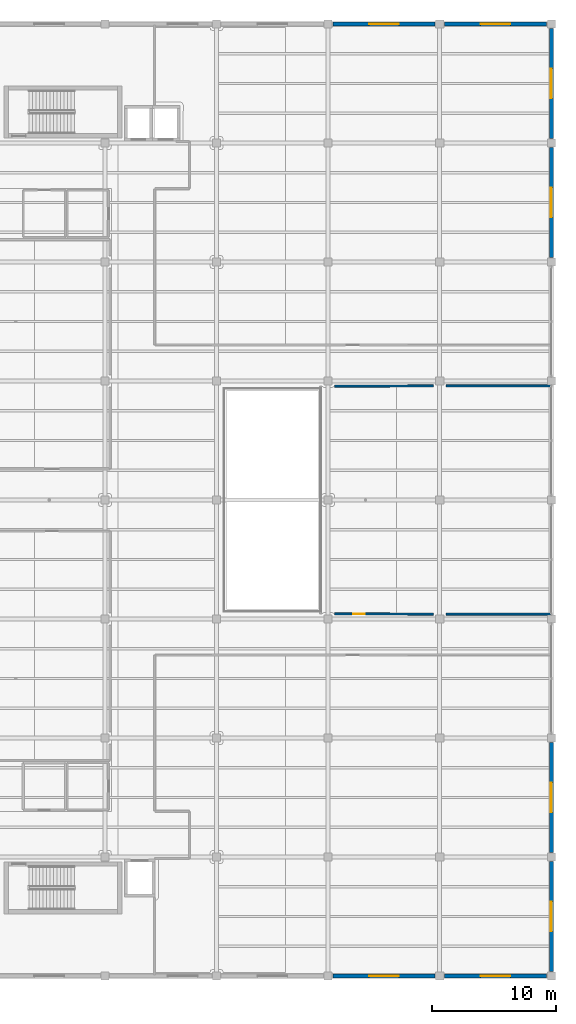
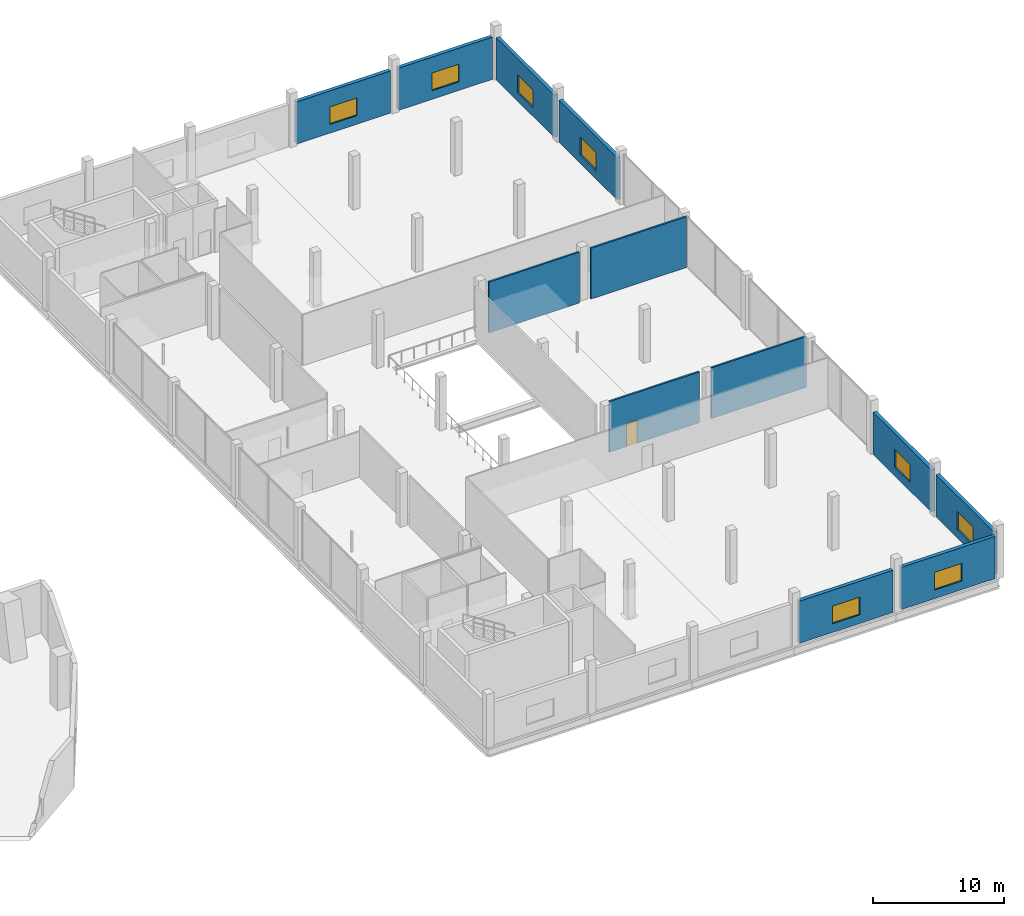
# One storey, part 34 of 46: 12 walls, 8 windows, 1 door, 9 openings.
"""IFC4 building model written with IfcOpenShell, lengths in metres."""

from ifc_helpers import new_model, si_unit, direction, frame, frame_2d, origin, place, context, subcontext, project, spatial, rectangle, extrude, material, layer, layer_set, type_object, element, fill, save


model = new_model("IFC4")

# Units and contexts
model_context = context("Model", 3, precision=1e-05, world=origin(), true_north=direction((0.0, 1.0)))
body_context = subcontext(model_context, "Body", "Model", "MODEL_VIEW")
ifc_project = project(units=[si_unit("LENGTHUNIT", "METRE"), si_unit("AREAUNIT", "SQUARE_METRE"), si_unit("VOLUMEUNIT", "CUBIC_METRE"), si_unit("PLANEANGLEUNIT", "RADIAN"), si_unit("MASSUNIT", "GRAM", prefix="KILO")], contexts=[model_context])

# Site, building, storey
site_placement = place(None, origin())
site = spatial("IfcSite", under=ifc_project, at=site_placement, CompositionType="ELEMENT")
building_placement = place(site_placement, origin())
building = spatial("IfcBuilding", under=site, at=building_placement, Name="Qorvath Tower", CompositionType="ELEMENT")
storey_placement = place(building_placement, frame((0.0, 0.0, 17.0)))
storey = spatial("IfcBuildingStorey", under=building, at=storey_placement, Name="L03", CompositionType="ELEMENT", Elevation=17.0)

# Wall, opening, door
ifc_material_1 = material(Name="Double acoustic gypsum board on steel studs", Category="steel")
ifc_layer_1 = layer(ifc_material_1, 0.159912109375)
ifc_layer_set_1 = layer_set([ifc_layer_1], Name="IW-ACOUSTIC-160")
wall_type_1 = type_object("IfcWallType", Name="IW-ACOUSTIC-160", PredefinedType="PARTITIONING", material=ifc_layer_set_1)
wall_1_placement = place(storey_placement, frame((59.91552734375, -9.19189453125, 0.0), z_axis=(0.0, 0.0, 1.0), x_axis=(0.999999488503, -0.001011431732, 0.0)))
wall_1 = element("IfcWall", 1, at=wall_1_placement, inside=storey, type_object=wall_type_1, Name="Interior Partition IW-LB-L03-029", PredefinedType="PARTITIONING", context=body_context, shape_type="SweptSolid", body=[
    extrude(rectangle(XDim=7.965576171875, YDim=0.159912109375, at=frame_2d((3.98291015625, 0.0))), origin(), (0.0, 0.0, 1.0), 4.739990234375),
])
opening_1_placement = place(wall_1_placement, frame((1.50341796875, 0.0, 0.0)))
opening_1 = element("IfcOpeningElement", 2, at=opening_1_placement, cuts=wall_1, Name="Opening D-LB-L03-07", PredefinedType="OPENING", context=body_context, shape_type="SweptSolid", body=[
    extrude(rectangle(XDim=0.949951171875, YDim=2.14990234375, at=frame_2d((0.47509765625, 1.074951171875))), frame((0.0, 0.08984375, 0.0), z_axis=(0.0, -1.0, 0.0), x_axis=(1.0, 0.0, 0.0)), (0.0, 0.0, 1.0), 0.179931640625),
])
ifc_material_2 = material(Name="Solid-core American white oak veneer", Category="wood")
door_type = type_object("IfcDoorType", Name="D-01", OperationType="NOTDEFINED", PredefinedType="DOOR", material=ifc_material_2)
door_placement = place(opening_1_placement, origin())
door = element("IfcDoor", 3, at=door_placement, inside=storey, type_object=door_type, Name="L-L03-RDG-E East Daylight Reading Room L03 Door D-LB-L03-07", OperationType="SINGLE_SWING_RIGHT", OverallHeight=2.14990234375, OverallWidth=0.949951171875, PredefinedType="DOOR", context=body_context, shape_type="SweptSolid", body=[
    extrude(rectangle(XDim=0.949951171875, YDim=2.14990234375, at=frame_2d((0.47509765625, 1.074951171875))), frame((0.0, 0.02490234375, 0.0), z_axis=(0.0, -1.0, 0.0), x_axis=(1.0, 0.0, 0.0)), (0.0, 0.0, 1.0), 0.050048828125),
])
fill(opening_1, door)

# Walls
for number, where, z_axis, x_axis, name in (
    (4, (68.9189453125, -9.199951171875, 0.0), (0.0, 0.0, 1.0), (1.0, 0.0, 0.0), "Interior Partition IW-LB-L03-030"),
    (5, (77.320068359375, 9.199951171875, 0.0), (0.0, 0.0, 1.0), (-1.0, 0.0, 0.0), "Interior Partition IW-LB-L03-031"),
):
    element("IfcWall", number, at=place(storey_placement, frame(where, z_axis=z_axis, x_axis=x_axis)), inside=storey, type_object=wall_type_1, Name=name, PredefinedType="PARTITIONING", context=body_context, shape_type="SweptSolid", body=[
        extrude(rectangle(XDim=8.401123046875, YDim=0.159912109375, at=frame_2d((4.20068359375, 0.0))), origin(), (0.0, 0.0, 1.0), 4.739990234375),
    ])
wall_2_placement = place(storey_placement, frame((67.881103515625, 9.199951171875, 0.0), z_axis=(0.0, 0.0, 1.0), x_axis=(-0.999999488503, -0.001011431732, 0.0)))
element("IfcWall", 6, at=wall_2_placement, inside=storey, type_object=wall_type_1, Name="Interior Partition IW-LB-L03-032", PredefinedType="PARTITIONING", context=body_context, shape_type="SweptSolid", body=[
    extrude(rectangle(XDim=7.965576171875, YDim=0.159912109375, at=frame_2d((3.98291015625, 0.0))), origin(), (0.0, 0.0, 1.0), 4.739990234375),
])

# Wall, opening, window
ifc_material_3 = material(Name="Precast concrete C45/55", Category="concrete")
ifc_layer_2 = layer(ifc_material_3, 0.320068359375)
ifc_layer_set_2 = layer_set([ifc_layer_2], Name="WL-EW-LIB-320")
wall_type_2 = type_object("IfcWallType", Name="WL-EW-LIB-320", PredefinedType="SOLIDWALL", material=ifc_layer_set_2)
wall_3_placement = place(storey_placement, frame((77.39990234375, -29.169921875, 0.0), z_axis=(0.0, 0.0, 1.0), x_axis=(0.0, -1.0, 0.0)))
wall_3 = element("IfcWall", 7, at=wall_3_placement, inside=storey, type_object=wall_type_2, Name="Library E Precast Wall L03-1", PredefinedType="SOLIDWALL", context=body_context, shape_type="SweptSolid", body=[
    extrude(rectangle(XDim=8.860107421875, YDim=0.320068359375, at=frame_2d((4.43017578125, 0.0))), origin(), (0.0, 0.0, 1.0), 3.93701171875),
])
opening_2_placement = place(wall_3_placement, frame((3.22998046875, 0.0, 0.800048828125)))
opening_2 = element("IfcOpeningElement", 8, at=opening_2_placement, cuts=wall_3, Name="Opening WN-L-111", PredefinedType="OPENING", context=body_context, shape_type="SweptSolid", body=[
    extrude(rectangle(XDim=2.39990234375, YDim=1.64990234375, at=frame_2d((1.199951171875, 0.824951171875))), frame((0.0, 0.169921875, 0.0), z_axis=(0.0, -1.0, 0.0), x_axis=(1.0, 0.0, 0.0)), (0.0, 0.0, 1.0), 0.340087890625),
])
ifc_material_4 = material(Name="Thermally broken aluminium and triple low-E glass", Category="aluminium")
window_type = type_object("IfcWindowType", Name="WN-2", PartitioningType="SINGLE_PANEL", PredefinedType="WINDOW", material=ifc_material_4)
window_1_placement = place(opening_2_placement, origin())
window_1 = element("IfcWindow", 9, at=window_1_placement, inside=storey, type_object=window_type, Name="Library Reading Punched Window 111", OverallHeight=1.64990234375, OverallWidth=2.39990234375, PartitioningType="SINGLE_PANEL", PredefinedType="WINDOW", context=body_context, shape_type="SweptSolid", body=[
    extrude(rectangle(XDim=2.39990234375, YDim=1.64990234375, at=frame_2d((1.199951171875, 0.824951171875))), frame((0.0, 0.030029296875, 0.0), z_axis=(0.0, -1.0, 0.0), x_axis=(1.0, 0.0, 0.0)), (0.0, 0.0, 1.0), 0.06005859375),
])
fill(opening_2, window_1)

wall_4_placement = place(storey_placement, frame((77.39990234375, -19.570068359375, 0.0), z_axis=(0.0, 0.0, 1.0), x_axis=(0.0, -1.0, 0.0)))
wall_4 = element("IfcWall", 10, at=wall_4_placement, inside=storey, type_object=wall_type_2, Name="Library E Precast Wall L03-2", PredefinedType="SOLIDWALL", context=body_context, shape_type="SweptSolid", body=[
    extrude(rectangle(XDim=8.85986328125, YDim=0.320068359375, at=frame_2d((4.429931640625, 0.0))), origin(), (0.0, 0.0, 1.0), 3.93701171875),
])
opening_3_placement = place(wall_4_placement, frame((3.22998046875, 0.0, 0.800048828125)))
opening_3 = element("IfcOpeningElement", 11, at=opening_3_placement, cuts=wall_4, Name="Opening WN-L-112", PredefinedType="OPENING", context=body_context, shape_type="SweptSolid", body=[
    extrude(rectangle(XDim=2.39990234375, YDim=1.64990234375, at=frame_2d((1.199951171875, 0.824951171875))), frame((0.0, 0.169921875, 0.0), z_axis=(0.0, -1.0, 0.0), x_axis=(1.0, 0.0, 0.0)), (0.0, 0.0, 1.0), 0.340087890625),
])
window_2_placement = place(opening_3_placement, origin())
window_2 = element("IfcWindow", 12, at=window_2_placement, inside=storey, type_object=window_type, Name="Library Reading Punched Window 112", OverallHeight=1.64990234375, OverallWidth=2.39990234375, PartitioningType="SINGLE_PANEL", PredefinedType="WINDOW", context=body_context, shape_type="SweptSolid", body=[
    extrude(rectangle(XDim=2.39990234375, YDim=1.64990234375, at=frame_2d((1.199951171875, 0.824951171875))), frame((0.0, 0.030029296875, 0.0), z_axis=(0.0, -1.0, 0.0), x_axis=(1.0, 0.0, 0.0)), (0.0, 0.0, 1.0), 0.06005859375),
])
fill(opening_3, window_2)

wall_5_placement = place(storey_placement, frame((77.39990234375, 28.429931640625, 0.0), z_axis=(0.0, 0.0, 1.0), x_axis=(0.0, -1.0, 0.0)))
wall_5 = element("IfcWall", 13, at=wall_5_placement, inside=storey, type_object=wall_type_2, Name="Library E Precast Wall L03-7", PredefinedType="SOLIDWALL", context=body_context, shape_type="SweptSolid", body=[
    extrude(rectangle(XDim=8.85986328125, YDim=0.320068359375, at=frame_2d((4.429931640625, 0.0))), origin(), (0.0, 0.0, 1.0), 3.93701171875),
])
opening_4_placement = place(wall_5_placement, frame((3.22998046875, 0.0, 0.800048828125)))
opening_4 = element("IfcOpeningElement", 14, at=opening_4_placement, cuts=wall_5, Name="Opening WN-L-113", PredefinedType="OPENING", context=body_context, shape_type="SweptSolid", body=[
    extrude(rectangle(XDim=2.39990234375, YDim=1.64990234375, at=frame_2d((1.199951171875, 0.824951171875))), frame((0.0, 0.169921875, 0.0), z_axis=(0.0, -1.0, 0.0), x_axis=(1.0, 0.0, 0.0)), (0.0, 0.0, 1.0), 0.340087890625),
])
window_3_placement = place(opening_4_placement, origin())
window_3 = element("IfcWindow", 15, at=window_3_placement, inside=storey, type_object=window_type, Name="Library Reading Punched Window 113", OverallHeight=1.64990234375, OverallWidth=2.39990234375, PartitioningType="SINGLE_PANEL", PredefinedType="WINDOW", context=body_context, shape_type="SweptSolid", body=[
    extrude(rectangle(XDim=2.39990234375, YDim=1.64990234375, at=frame_2d((1.199951171875, 0.824951171875))), frame((0.0, 0.030029296875, 0.0), z_axis=(0.0, -1.0, 0.0), x_axis=(1.0, 0.0, 0.0)), (0.0, 0.0, 1.0), 0.06005859375),
])
fill(opening_4, window_3)

wall_6_placement = place(storey_placement, frame((77.39990234375, 38.030029296875, 0.0), z_axis=(0.0, 0.0, 1.0), x_axis=(0.0, -1.0, 0.0)))
wall_6 = element("IfcWall", 16, at=wall_6_placement, inside=storey, type_object=wall_type_2, Name="Library E Precast Wall L03-8", PredefinedType="SOLIDWALL", context=body_context, shape_type="SweptSolid", body=[
    extrude(rectangle(XDim=8.860107421875, YDim=0.320068359375, at=frame_2d((4.43017578125, 0.0))), origin(), (0.0, 0.0, 1.0), 3.93701171875),
])
opening_5_placement = place(wall_6_placement, frame((3.22998046875, 0.0, 0.800048828125)))
opening_5 = element("IfcOpeningElement", 17, at=opening_5_placement, cuts=wall_6, Name="Opening WN-L-114", PredefinedType="OPENING", context=body_context, shape_type="SweptSolid", body=[
    extrude(rectangle(XDim=2.39990234375, YDim=1.64990234375, at=frame_2d((1.199951171875, 0.824951171875))), frame((0.0, 0.169921875, 0.0), z_axis=(0.0, -1.0, 0.0), x_axis=(1.0, 0.0, 0.0)), (0.0, 0.0, 1.0), 0.340087890625),
])
window_4_placement = place(opening_5_placement, origin())
window_4 = element("IfcWindow", 18, at=window_4_placement, inside=storey, type_object=window_type, Name="Library Reading Punched Window 114", OverallHeight=1.64990234375, OverallWidth=2.39990234375, PartitioningType="SINGLE_PANEL", PredefinedType="WINDOW", context=body_context, shape_type="SweptSolid", body=[
    extrude(rectangle(XDim=2.39990234375, YDim=1.64990234375, at=frame_2d((1.199951171875, 0.824951171875))), frame((0.0, 0.030029296875, 0.0), z_axis=(0.0, -1.0, 0.0), x_axis=(1.0, 0.0, 0.0)), (0.0, 0.0, 1.0), 0.06005859375),
])
fill(opening_5, window_4)

wall_7_placement = place(storey_placement, frame((68.77001953125, 38.39990234375, 0.0), z_axis=(0.0, 0.0, 1.0), x_axis=(1.0, 0.0, 0.0)))
wall_7 = element("IfcWall", 19, at=wall_7_placement, inside=storey, type_object=wall_type_2, Name="Library N Precast Wall L03-1", PredefinedType="SOLIDWALL", context=body_context, shape_type="SweptSolid", body=[
    extrude(rectangle(XDim=8.260009765625, YDim=0.320068359375, at=frame_2d((4.1298828125, 0.0))), origin(), (0.0, 0.0, 1.0), 3.93701171875),
])
opening_6_placement = place(wall_7_placement, frame((2.929931640625, 0.0, 0.800048828125)))
opening_6 = element("IfcOpeningElement", 20, at=opening_6_placement, cuts=wall_7, Name="Opening WN-L-115", PredefinedType="OPENING", context=body_context, shape_type="SweptSolid", body=[
    extrude(rectangle(XDim=2.39990234375, YDim=1.64990234375, at=frame_2d((1.199951171875, 0.824951171875))), frame((0.0, 0.169921875, 0.0), z_axis=(0.0, -1.0, 0.0), x_axis=(1.0, 0.0, 0.0)), (0.0, 0.0, 1.0), 0.340087890625),
])
window_5_placement = place(opening_6_placement, origin())
window_5 = element("IfcWindow", 21, at=window_5_placement, inside=storey, type_object=window_type, Name="Library Reading Punched Window 115", OverallHeight=1.64990234375, OverallWidth=2.39990234375, PartitioningType="SINGLE_PANEL", PredefinedType="WINDOW", context=body_context, shape_type="SweptSolid", body=[
    extrude(rectangle(XDim=2.39990234375, YDim=1.64990234375, at=frame_2d((1.199951171875, 0.824951171875))), frame((0.0, 0.030029296875, 0.0), z_axis=(0.0, -1.0, 0.0), x_axis=(1.0, 0.0, 0.0)), (0.0, 0.0, 1.0), 0.06005859375),
])
fill(opening_6, window_5)

wall_8_placement = place(storey_placement, frame((59.77001953125, 38.39990234375, 0.0), z_axis=(0.0, 0.0, 1.0), x_axis=(1.0, 0.0, 0.0)))
wall_8 = element("IfcWall", 22, at=wall_8_placement, inside=storey, type_object=wall_type_2, Name="Library N Precast Wall L03-2", PredefinedType="SOLIDWALL", context=body_context, shape_type="SweptSolid", body=[
    extrude(rectangle(XDim=8.260009765625, YDim=0.320068359375, at=frame_2d((4.1298828125, 0.0))), origin(), (0.0, 0.0, 1.0), 3.93701171875),
])
opening_7_placement = place(wall_8_placement, frame((2.929931640625, 0.0, 0.800048828125)))
opening_7 = element("IfcOpeningElement", 23, at=opening_7_placement, cuts=wall_8, Name="Opening WN-L-116", PredefinedType="OPENING", context=body_context, shape_type="SweptSolid", body=[
    extrude(rectangle(XDim=2.39990234375, YDim=1.64990234375, at=frame_2d((1.199951171875, 0.824951171875))), frame((0.0, 0.169921875, 0.0), z_axis=(0.0, -1.0, 0.0), x_axis=(1.0, 0.0, 0.0)), (0.0, 0.0, 1.0), 0.340087890625),
])
window_6_placement = place(opening_7_placement, origin())
window_6 = element("IfcWindow", 24, at=window_6_placement, inside=storey, type_object=window_type, Name="Library Reading Punched Window 116", OverallHeight=1.64990234375, OverallWidth=2.39990234375, PartitioningType="SINGLE_PANEL", PredefinedType="WINDOW", context=body_context, shape_type="SweptSolid", body=[
    extrude(rectangle(XDim=2.39990234375, YDim=1.64990234375, at=frame_2d((1.199951171875, 0.824951171875))), frame((0.0, 0.030029296875, 0.0), z_axis=(0.0, -1.0, 0.0), x_axis=(1.0, 0.0, 0.0)), (0.0, 0.0, 1.0), 0.06005859375),
])
fill(opening_7, window_6)

wall_9_placement = place(storey_placement, frame((68.030029296875, -38.39990234375, 0.0), z_axis=(0.0, 0.0, 1.0), x_axis=(-1.0, 0.0, 0.0)))
wall_9 = element("IfcWall", 25, at=wall_9_placement, inside=storey, type_object=wall_type_2, Name="Library S Precast Wall L03-4", PredefinedType="SOLIDWALL", context=body_context, shape_type="SweptSolid", body=[
    extrude(rectangle(XDim=8.260009765625, YDim=0.320068359375, at=frame_2d((4.1298828125, 0.0))), origin(), (0.0, 0.0, 1.0), 3.93701171875),
])
opening_8_placement = place(wall_9_placement, frame((2.929931640625, 0.0, 0.800048828125)))
opening_8 = element("IfcOpeningElement", 26, at=opening_8_placement, cuts=wall_9, Name="Opening WN-L-123", PredefinedType="OPENING", context=body_context, shape_type="SweptSolid", body=[
    extrude(rectangle(XDim=2.39990234375, YDim=1.64990234375, at=frame_2d((1.199951171875, 0.824951171875))), frame((0.0, 0.169921875, 0.0), z_axis=(0.0, -1.0, 0.0), x_axis=(1.0, 0.0, 0.0)), (0.0, 0.0, 1.0), 0.340087890625),
])
window_7_placement = place(opening_8_placement, origin())
window_7 = element("IfcWindow", 27, at=window_7_placement, inside=storey, type_object=window_type, Name="Library Reading Punched Window 123", OverallHeight=1.64990234375, OverallWidth=2.39990234375, PartitioningType="SINGLE_PANEL", PredefinedType="WINDOW", context=body_context, shape_type="SweptSolid", body=[
    extrude(rectangle(XDim=2.39990234375, YDim=1.64990234375, at=frame_2d((1.199951171875, 0.824951171875))), frame((0.0, 0.030029296875, 0.0), z_axis=(0.0, -1.0, 0.0), x_axis=(1.0, 0.0, 0.0)), (0.0, 0.0, 1.0), 0.06005859375),
])
fill(opening_8, window_7)

wall_10_placement = place(storey_placement, frame((77.030029296875, -38.39990234375, 0.0), z_axis=(0.0, 0.0, 1.0), x_axis=(-1.0, 0.0, 0.0)))
wall_10 = element("IfcWall", 28, at=wall_10_placement, inside=storey, type_object=wall_type_2, Name="Library S Precast Wall L03-5", PredefinedType="SOLIDWALL", context=body_context, shape_type="SweptSolid", body=[
    extrude(rectangle(XDim=8.260009765625, YDim=0.320068359375, at=frame_2d((4.1298828125, 0.0))), origin(), (0.0, 0.0, 1.0), 3.93701171875),
])
opening_9_placement = place(wall_10_placement, frame((2.929931640625, 0.0, 0.800048828125)))
opening_9 = element("IfcOpeningElement", 29, at=opening_9_placement, cuts=wall_10, Name="Opening WN-L-124", PredefinedType="OPENING", context=body_context, shape_type="SweptSolid", body=[
    extrude(rectangle(XDim=2.39990234375, YDim=1.64990234375, at=frame_2d((1.199951171875, 0.824951171875))), frame((0.0, 0.169921875, 0.0), z_axis=(0.0, -1.0, 0.0), x_axis=(1.0, 0.0, 0.0)), (0.0, 0.0, 1.0), 0.340087890625),
])
window_8_placement = place(opening_9_placement, origin())
window_8 = element("IfcWindow", 30, at=window_8_placement, inside=storey, type_object=window_type, Name="Library Reading Punched Window 124", OverallHeight=1.64990234375, OverallWidth=2.39990234375, PartitioningType="SINGLE_PANEL", PredefinedType="WINDOW", context=body_context, shape_type="SweptSolid", body=[
    extrude(rectangle(XDim=2.39990234375, YDim=1.64990234375, at=frame_2d((1.199951171875, 0.824951171875))), frame((0.0, 0.030029296875, 0.0), z_axis=(0.0, -1.0, 0.0), x_axis=(1.0, 0.0, 0.0)), (0.0, 0.0, 1.0), 0.06005859375),
])
fill(opening_9, window_8)

save(model, "model.ifc")
